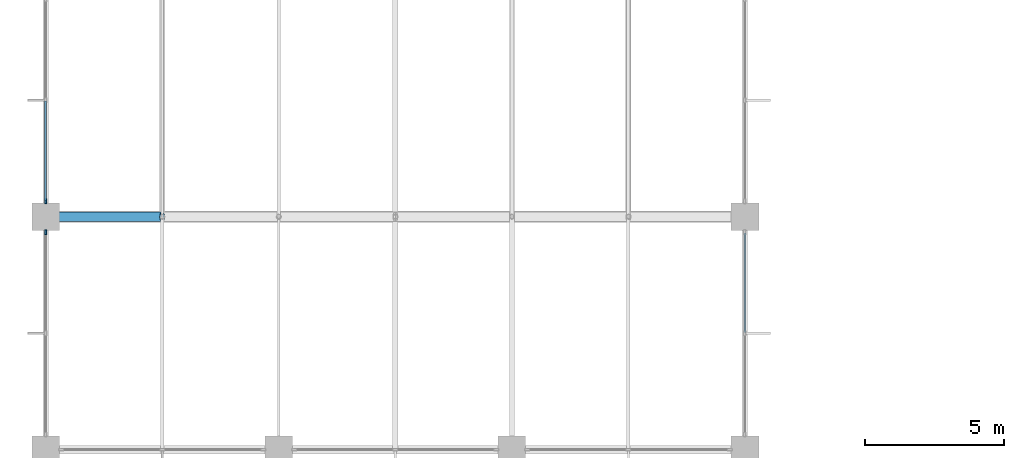
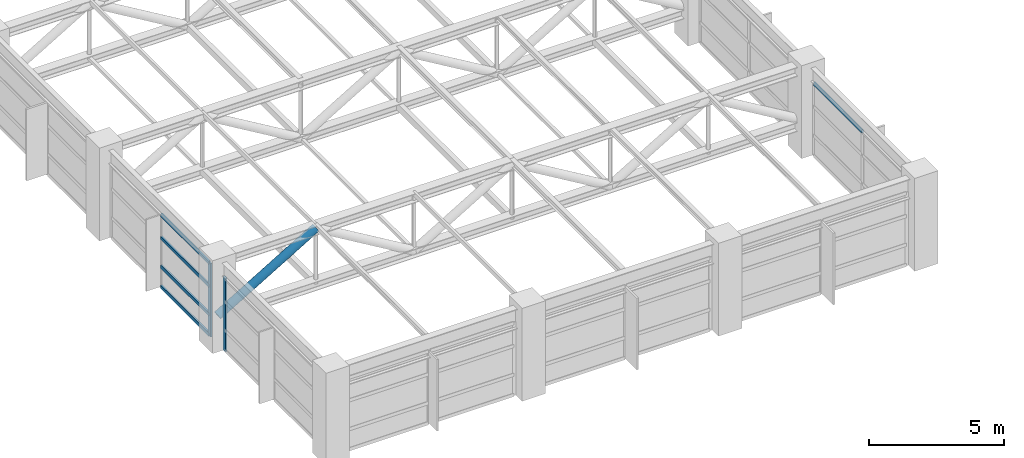
# One storey, part 6 of 32: 8 members, 3 elements without a shape of their own.
"""IFC4 building model written with IfcOpenShell, lengths in metres."""

import ifcopenshell
import ifcopenshell.guid

model = None  # the IFC model being written
_history = None  # IfcOwnerHistory: only IFC2X3 demands one
_inside = {}  # id of a spatial element -> (the spatial element, [elements in it])
_under = {}  # id of a project, library or spatial element -> (it, [spatial elements below it])
_declared = {}  # id of a project -> (the project, [libraries it declares])
_typed = {}  # id of a type object -> (the type object, [elements of that type])
_made_of = {}  # id of a material, layer set ... -> (it, [elements and type objects made of it])


def new_model(schema):
    """Start an empty IFC model of exactly this schema.

    Asked for "IFC4X3", IfcOpenShell would pick the latest addendum, in which some entities
    have other attributes; the version numbers below select the first issue.
    IFC2X3 requires an IfcOwnerHistory on every rooted entity: one is made here for all.
    """
    global model, _history
    if schema == "IFC4X3":
        model = ifcopenshell.file(schema_version=(4, 3, 0, 0))
    else:
        model = ifcopenshell.file(schema=schema)
    _inside.clear()
    _under.clear()
    _declared.clear()
    _typed.clear()
    _made_of.clear()
    _history = None
    if model.schema == "IFC2X3":
        org = make("IfcOrganization", Name="unknown")
        user = make(
            "IfcPersonAndOrganization",
            ThePerson=make("IfcPerson", FamilyName="unknown"),
            TheOrganization=org,
        )
        app = make(
            "IfcApplication",
            ApplicationDeveloper=org,
            Version="unknown",
            ApplicationFullName="unknown",
            ApplicationIdentifier="unknown",
        )
        _history = make(
            "IfcOwnerHistory",
            OwningUser=user,
            OwningApplication=app,
            ChangeAction="ADDED",
            CreationDate=0,
        )
    return model


def make(cls, **values):
    """One entity of the class cls with the attributes given. An attribute that is None is left unset."""
    return model.create_entity(
        cls, **{name: value for name, value in values.items() if value is not None}
    )


def rooted(cls, **values):
    """An entity with a GlobalId (a new one), such as an element, a storey or a relation."""
    return make(cls, GlobalId=ifcopenshell.guid.new(), OwnerHistory=_history, **values)


def si_unit(unit_type, name, prefix=None):
    """IfcSIUnit, for example si_unit("LENGTHUNIT", "METRE", prefix="MILLI")."""
    return make("IfcSIUnit", UnitType=unit_type, Prefix=prefix, Name=name)


def assignment(units):
    """IfcUnitAssignment: the units of a project."""
    return None if units is None else make("IfcUnitAssignment", Units=units)


def point(xyz):
    """IfcCartesianPoint."""
    return None if xyz is None else make("IfcCartesianPoint", Coordinates=xyz)


def direction(xyz):
    """IfcDirection."""
    return None if xyz is None else make("IfcDirection", DirectionRatios=xyz)


def frame(location, z_axis=None, x_axis=None):
    """IfcAxis2Placement3D, a coordinate frame: its origin and axes. An axis left out is left unset."""
    return make(
        "IfcAxis2Placement3D",
        Location=point(location),
        Axis=direction(z_axis),
        RefDirection=direction(x_axis),
    )


def frame_2d(location, x_axis=None):
    """IfcAxis2Placement2D, a coordinate frame in the plane: its origin and x axis."""
    return make(
        "IfcAxis2Placement2D", Location=point(location), RefDirection=direction(x_axis)
    )


def origin():
    """The frame at (0, 0, 0) with its axes left unset."""
    return frame((0.0, 0.0, 0.0))


def origin_2d():
    """The frame at (0, 0) in the plane with its x axis left unset."""
    return frame_2d((0.0, 0.0))


def place(relative_to, where):
    """IfcLocalPlacement: puts the frame where relative to a parent placement (None: the world)."""
    return make(
        "IfcLocalPlacement", PlacementRelTo=relative_to, RelativePlacement=where
    )


def context(
    kind, dimensions, precision=None, world=None, true_north=None, identifier=None
):
    """IfcGeometricRepresentationContext, for example the 3D "Model" context."""
    return make(
        "IfcGeometricRepresentationContext",
        ContextIdentifier=identifier,
        ContextType=kind,
        CoordinateSpaceDimension=dimensions,
        Precision=precision,
        WorldCoordinateSystem=world,
        TrueNorth=true_north,
    )


def subcontext(parent, identifier, kind, view, scale=None):
    """IfcGeometricRepresentationSubContext, for example "Body" below "Model"."""
    return make(
        "IfcGeometricRepresentationSubContext",
        ContextIdentifier=identifier,
        ContextType=kind,
        ParentContext=parent,
        TargetScale=scale,
        TargetView=view,
    )


def project(units=None, contexts=None):
    """IfcProject with its units and contexts."""
    return rooted(
        "IfcProject",
        Name="project",
        RepresentationContexts=contexts,
        UnitsInContext=assignment(units),
    )


def spatial(cls, under=None, at=None, **own):
    """A site, building, storey or space (cls), placed at a placement, below another one or the project."""
    s = rooted(cls, ObjectPlacement=at, **own)
    if under is not None:
        _under.setdefault(under.id(), (under, []))[1].append(s)
    return s


def profile(cls, at=None, kind="AREA", **sizes):
    """A parametric profile (cls). Its sizes go by their IFC names, for example OverallWidth=200.0."""
    return make(cls, ProfileType=kind, Position=at, **sizes)


def rectangle(**sizes):
    """IfcRectangleProfileDef."""
    return profile("IfcRectangleProfileDef", **sizes)


def hollow_circle(**sizes):
    """IfcCircleHollowProfileDef."""
    return profile("IfcCircleHollowProfileDef", **sizes)


def extrude(swept, where, along, depth):
    """IfcExtrudedAreaSolid: the profile swept, set in the frame where, extruded along a direction by depth."""
    return make(
        "IfcExtrudedAreaSolid",
        SweptArea=swept,
        Position=where,
        ExtrudedDirection=direction(along),
        Depth=depth,
    )


def shape(context_of_items, identifier, shape_type, items):
    """IfcShapeRepresentation: the items that make up one representation, for example the "Body"."""
    return make(
        "IfcShapeRepresentation",
        ContextOfItems=context_of_items,
        RepresentationIdentifier=identifier,
        RepresentationType=shape_type,
        Items=items,
    )


def material(Name=None, Category=None):
    """IfcMaterial."""
    return make("IfcMaterial", Name=Name, Category=Category)


def material_profile(
    of_material, cross_section, Name=None, Category=None, Priority=None
):
    """IfcMaterialProfile: a cross section and its material."""
    return make(
        "IfcMaterialProfile",
        Name=Name,
        Material=of_material,
        Profile=cross_section,
        Priority=Priority,
        Category=Category,
    )


def profile_set(profiles, Name=None, composite=None):
    """IfcMaterialProfileSet."""
    return make(
        "IfcMaterialProfileSet",
        Name=Name,
        MaterialProfiles=profiles,
        CompositeProfile=composite,
    )


def made_of(thing, what):
    """Note that an element or type object is made of a material, layer set ...; save() writes the relation."""
    if what is not None:
        _made_of.setdefault(what.id(), (what, []))[1].append(thing)
    return thing


def type_object(cls, material=None, **own):
    """A type object (cls), such as IfcWallType, which elements share."""
    return made_of(rooted(cls, **own), material)


def element(
    cls,
    number,
    at=None,
    inside=None,
    cuts=None,
    type_object=None,
    material=None,
    context=None,
    identifier="Body",
    shape_type=None,
    held_by="IfcProductDefinitionShape",
    body=None,
    shapes=None,
    **own,
):
    """One element of the class cls, such as IfcWall. Its Tag is "e" and its number.

    at: its placement. inside: the storey or other place that contains it. cuts: it is an
    opening in that element (IfcRelVoidsElement). A single representation is given by context,
    identifier, shape_type and body (its items); several are given by shapes. held_by: the class
    of the entity that holds the representations. save() writes the other relations.
    """
    e = rooted(cls, Tag="e%d" % number, ObjectPlacement=at, **own)
    if body is not None:
        shapes = [shape(context, identifier, shape_type, body)]
    if shapes is not None:
        e.Representation = make(held_by, Representations=shapes)
    if inside is not None:
        _inside.setdefault(inside.id(), (inside, []))[1].append(e)
    if cuts is not None:
        rooted(
            "IfcRelVoidsElement", RelatingBuildingElement=cuts, RelatedOpeningElement=e
        )
    if type_object is not None:
        _typed.setdefault(type_object.id(), (type_object, []))[1].append(e)
    return made_of(e, material)


def aggregate(whole, parts):
    """IfcRelAggregates: a whole, such as a stair, and the parts it consists of."""
    return rooted("IfcRelAggregates", RelatingObject=whole, RelatedObjects=parts)


def save(model, path):
    """Write the relations noted so far, then the file.

    IfcRelAggregates (storeys below a building ...), IfcRelContainedInSpatialStructure (elements
    in a storey), IfcRelDefinesByType, IfcRelAssociatesMaterial and IfcRelDeclares: one each for
    every whole, place, type object, material and project.
    """
    for whole, parts in _under.values():
        aggregate(whole, parts)
    for where, things in _inside.values():
        rooted(
            "IfcRelContainedInSpatialStructure",
            RelatedElements=things,
            RelatingStructure=where,
        )
    for kind, things in _typed.values():
        rooted("IfcRelDefinesByType", RelatedObjects=things, RelatingType=kind)
    for what, things in _made_of.values():
        rooted("IfcRelAssociatesMaterial", RelatedObjects=things, RelatingMaterial=what)
    for by, libraries in _declared.values():
        rooted("IfcRelDeclares", RelatingContext=by, RelatedDefinitions=libraries)
    model.write(path)


model = new_model("IFC4")

# Units and contexts
model_context = context("Model", 3, precision=1e-05, world=origin(), true_north=direction((0.0, 1.0)))
body_context = subcontext(model_context, "Body", "Model", "MODEL_VIEW")
ifc_project = project(units=[si_unit("LENGTHUNIT", "METRE"), si_unit("AREAUNIT", "SQUARE_METRE"), si_unit("VOLUMEUNIT", "CUBIC_METRE"), si_unit("PLANEANGLEUNIT", "RADIAN"), si_unit("MASSUNIT", "GRAM", prefix="KILO")], contexts=[model_context])

# Site, building, storey
site_placement = place(None, origin())
site = spatial("IfcSite", under=ifc_project, at=site_placement, CompositionType="ELEMENT")
building_placement = place(site_placement, origin())
building = spatial("IfcBuilding", under=site, at=building_placement, Name="Xuanlan Plaza Opera House", CompositionType="ELEMENT")
storey_placement = place(building_placement, frame((0.0, 0.0, 40.5)))
storey = spatial("IfcBuildingStorey", under=building, at=storey_placement, Name="L09", CompositionType="ELEMENT", Elevation=40.5)

# Curtain wall, member
ifc_material_1 = material(Name="Anodised Aluminium 6063-T6 and Low-E Glass", Category="aluminium")
curtain_wall_type = type_object("IfcCurtainWallType", Name="ENV-CW-CW-05", PredefinedType="USERDEFINED", material=ifc_material_1)
curtain_wall_1_placement = place(storey_placement, origin())
curtain_wall_1 = element("IfcCurtainWall", 1, at=curtain_wall_1_placement, inside=storey, type_object=curtain_wall_type, Name="Acoustic Glazed Wall FLY-L09-13", ObjectType="ACOUSTIC GLAZED WALL", PredefinedType="USERDEFINED")
ifc_material_2 = material(Name="Anodised Aluminium 6063-T6", Category="aluminium")
ifc_material_profile_1 = material_profile(ifc_material_2, rectangle(XDim=0.070068359375, YDim=0.179931640625, at=origin_2d()), Name="ALU-M 70x180")
ifc_profile_set_1 = profile_set([ifc_material_profile_1], Name="Anodised Aluminium 6063-T6")
member_type_1 = type_object("IfcMemberType", Name="ENV-CWM-02", PredefinedType="MULLION", material=ifc_profile_set_1)
member_1_placement = place(storey_placement, frame((42.0, 50.955078125, 0.0), z_axis=(0.0, 0.0, 1.0), x_axis=(1.0, 0.0, 0.0)))
member_1 = element("IfcMember", 2, at=member_1_placement, type_object=member_type_1, Name="CW-05 mullion 3", PredefinedType="MULLION", context=body_context, shape_type="SweptSolid", body=[
    extrude(rectangle(XDim=0.070068359375, YDim=0.179931640625, at=origin_2d()), origin(), (0.0, 0.0, 1.0), 3.320068359375),
])

curtain_wall_2_placement = place(storey_placement, origin())
curtain_wall_2 = element("IfcCurtainWall", 3, at=curtain_wall_2_placement, inside=storey, type_object=curtain_wall_type, Name="Acoustic Glazed Wall FLY-L09-14", ObjectType="ACOUSTIC GLAZED WALL", PredefinedType="USERDEFINED")
member_2_placement = place(storey_placement, frame((42.0, 49.844970703125, 0.0), z_axis=(0.0, 0.0, 1.0), x_axis=(1.0, 0.0, 0.0)))
member_2 = element("IfcMember", 4, at=member_2_placement, type_object=member_type_1, Name="CW-05 mullion 1", PredefinedType="MULLION", context=body_context, shape_type="SweptSolid", body=[
    extrude(rectangle(XDim=0.070068359375, YDim=0.179931640625, at=origin_2d()), origin(), (0.0, 0.0, 1.0), 3.320068359375),
])
aggregate(curtain_wall_2, [member_2])

curtain_wall_3_placement = place(storey_placement, origin())
curtain_wall_3 = element("IfcCurtainWall", 5, at=curtain_wall_3_placement, inside=storey, type_object=curtain_wall_type, Name="Acoustic Glazed Wall FLY-L09-04", ObjectType="ACOUSTIC GLAZED WALL", PredefinedType="USERDEFINED")
ifc_material_profile_2 = material_profile(ifc_material_2, rectangle(XDim=0.074951171875, YDim=0.14990234375, at=origin_2d()), Name="ALU-T 75x150")
ifc_profile_set_2 = profile_set([ifc_material_profile_2], Name="Anodised Aluminium 6063-T6")
member_type_2 = type_object("IfcMemberType", Name="ENV-CWT-03", PredefinedType="USERDEFINED", material=ifc_profile_set_2)
member_3_placement = place(storey_placement, frame((67.199951171875, 46.235107421875, 3.282470703125), z_axis=(0.0, 1.0, 0.0), x_axis=(-1.0, 0.0, 0.0)))
member_3 = element("IfcMember", 6, at=member_3_placement, type_object=member_type_2, Name="CW-05 transom 2.4", ObjectType="TRANSOM", PredefinedType="USERDEFINED", context=body_context, shape_type="SweptSolid", body=[
    extrude(rectangle(XDim=0.074951171875, YDim=0.14990234375, at=origin_2d()), origin(), (0.0, 0.0, 1.0), 3.574951171875),
])
aggregate(curtain_wall_3, [member_3])

# Member
member_4_placement = place(storey_placement, frame((42.0, 54.56494140625, 0.03759765625), z_axis=(0.0, -1.0, 0.0), x_axis=(1.0, 0.0, 0.0)))
member_4 = element("IfcMember", 7, at=member_4_placement, type_object=member_type_2, Name="CW-05 transom 2.1", ObjectType="TRANSOM", PredefinedType="USERDEFINED", context=body_context, shape_type="SweptSolid", body=[
    extrude(rectangle(XDim=0.074951171875, YDim=0.14990234375, at=origin_2d()), origin(), (0.0, 0.0, 1.0), 3.574951171875),
])

member_5_placement = place(storey_placement, frame((42.0, 54.56494140625, 0.949951171875), z_axis=(0.0, -1.0, 0.0), x_axis=(1.0, 0.0, 0.0)))
member_5 = element("IfcMember", 8, at=member_5_placement, type_object=member_type_2, Name="CW-05 transom 2.2", ObjectType="TRANSOM", PredefinedType="USERDEFINED", context=body_context, shape_type="SweptSolid", body=[
    extrude(rectangle(XDim=0.074951171875, YDim=0.14990234375, at=origin_2d()), origin(), (0.0, 0.0, 1.0), 3.574951171875),
])

member_6_placement = place(storey_placement, frame((42.0, 54.56494140625, 2.25), z_axis=(0.0, -1.0, 0.0), x_axis=(1.0, 0.0, 0.0)))
member_6 = element("IfcMember", 9, at=member_6_placement, type_object=member_type_2, Name="CW-05 transom 2.3", ObjectType="TRANSOM", PredefinedType="USERDEFINED", context=body_context, shape_type="SweptSolid", body=[
    extrude(rectangle(XDim=0.074951171875, YDim=0.14990234375, at=origin_2d()), origin(), (0.0, 0.0, 1.0), 3.574951171875),
])

member_7_placement = place(storey_placement, frame((42.0, 54.56494140625, 3.282470703125), z_axis=(0.0, -1.0, 0.0), x_axis=(1.0, 0.0, 0.0)))
member_7 = element("IfcMember", 10, at=member_7_placement, type_object=member_type_2, Name="CW-05 transom 2.4", ObjectType="TRANSOM", PredefinedType="USERDEFINED", context=body_context, shape_type="SweptSolid", body=[
    extrude(rectangle(XDim=0.074951171875, YDim=0.14990234375, at=origin_2d()), origin(), (0.0, 0.0, 1.0), 3.574951171875),
])

aggregate(curtain_wall_1, [member_1, member_4, member_5, member_6, member_7])

ifc_material_3 = material(Name="Steel Q355B", Category="steel")
ifc_material_profile_3 = material_profile(ifc_material_3, hollow_circle(Radius=0.177734375, WallThickness=0.01611328125, at=origin_2d()), Name="CHS 355.6x16")
ifc_profile_set_3 = profile_set([ifc_material_profile_3], Name="Steel Q355B")
member_type_3 = type_object("IfcMemberType", Name="STR-MEM-BR-02", PredefinedType="BRACE", material=ifc_profile_set_3)
member_8_placement = place(storey_placement, frame((42.0, 50.39990234375, 1.251953125), z_axis=(0.859290270856, 0.0, 0.511488250512), x_axis=(0.0, 1.0, 0.0)))
element("IfcMember", 11, at=member_8_placement, inside=storey, type_object=member_type_3, Name="Stage Roof Truss STG-01 Web Diagonal 1", PredefinedType="BRACE", context=body_context, shape_type="SweptSolid", body=[
    extrude(hollow_circle(Radius=0.177734375, WallThickness=0.01611328125, at=origin_2d()), origin(), (0.0, 0.0, 1.0), 4.8876953125),
])

save(model, "model.ifc")
